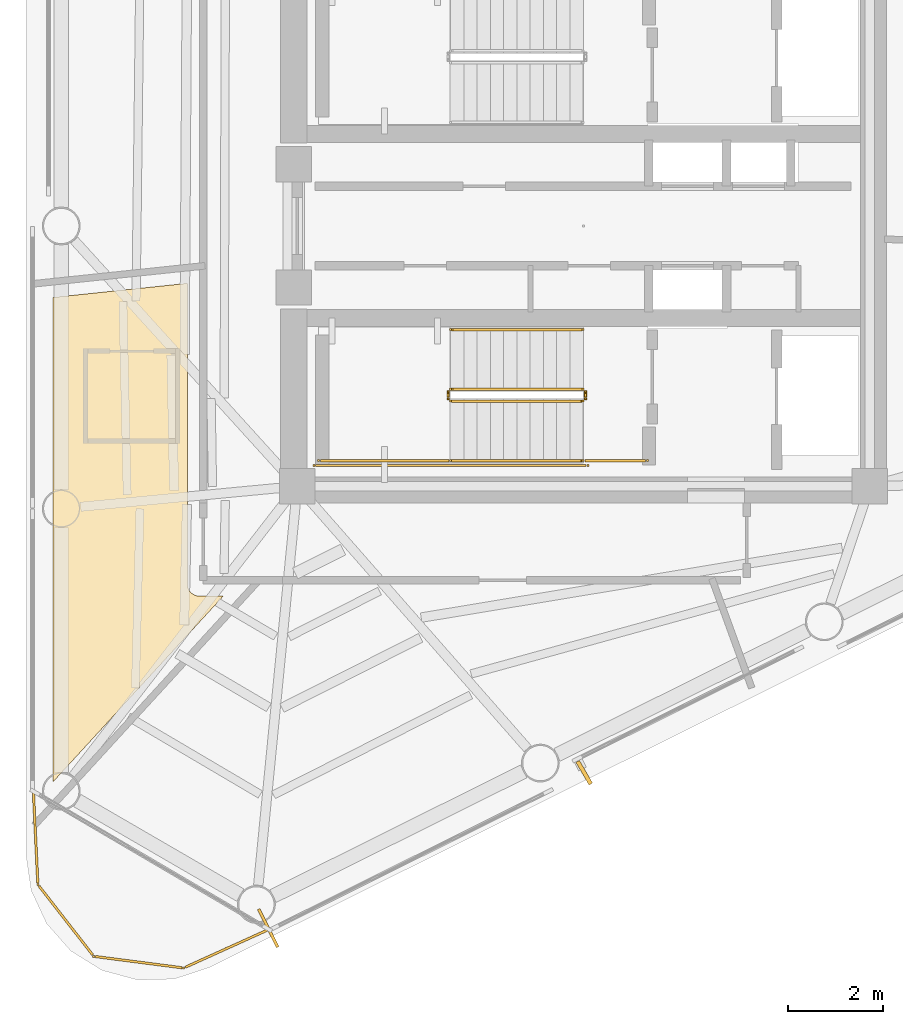
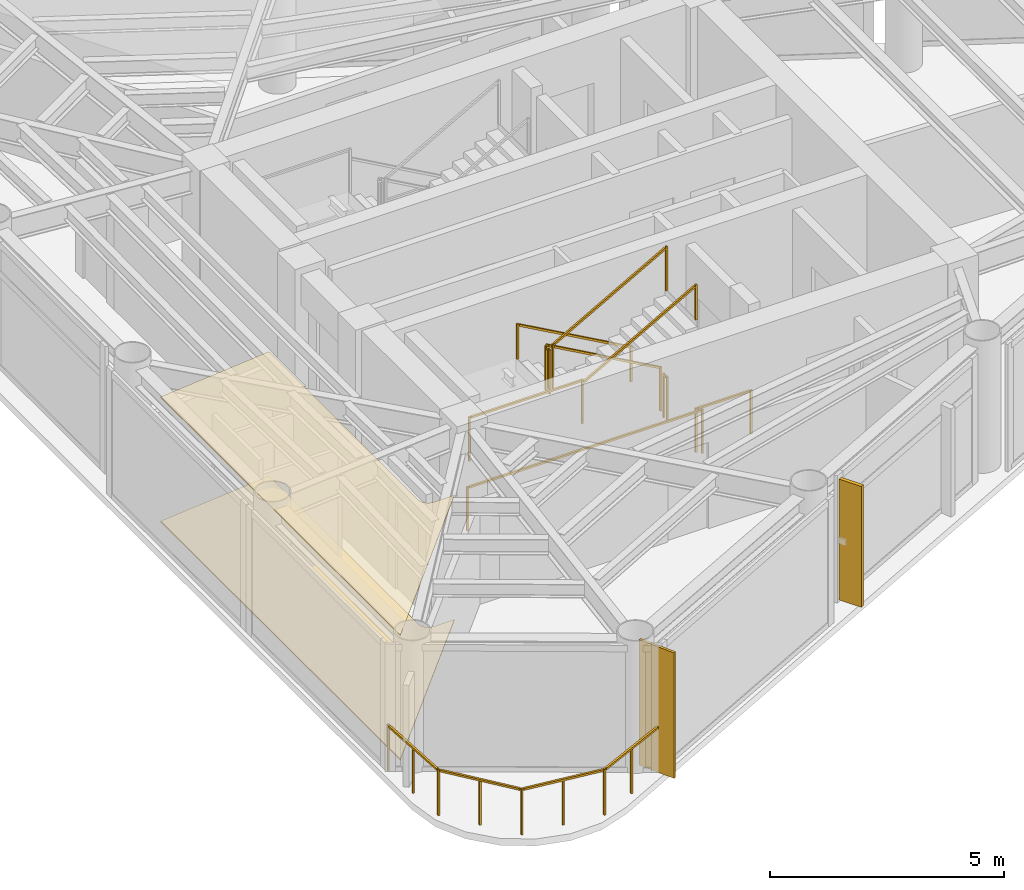
# One storey, part 7 of 10: 10 railings, 3 coverings, 1 shading device.
"""IFC4 building model written with IfcOpenShell, lengths in metres."""

from ifc_helpers import new_model, si_unit, direction, frame, origin, origin_2d, place, context, subcontext, project, spatial, polyline, rectangle, outline, extrude, source, transform, mapped, material, layer, layer_set, material_profile, profile_set, type_object, element, save


model = new_model("IFC4")

# Units and contexts
model_context = context("Model", 3, precision=1e-05, world=origin(), true_north=direction((0.0, 1.0)))
body_context = subcontext(model_context, "Body", "Model", "MODEL_VIEW")
ifc_project = project(units=[si_unit("LENGTHUNIT", "METRE"), si_unit("AREAUNIT", "SQUARE_METRE"), si_unit("VOLUMEUNIT", "CUBIC_METRE"), si_unit("PLANEANGLEUNIT", "RADIAN"), si_unit("MASSUNIT", "GRAM", prefix="KILO")], contexts=[model_context])

# Site, building, storey
site_placement = place(None, origin())
site = spatial("IfcSite", under=ifc_project, at=site_placement, CompositionType="ELEMENT")
building_placement = place(site_placement, origin())
building = spatial("IfcBuilding", under=site, at=building_placement, Name="Yunling Apex Tower", CompositionType="ELEMENT")
storey_placement = place(building_placement, frame((0.0, 0.0, 310.550048828125)))
storey = spatial("IfcBuildingStorey", under=building, at=storey_placement, Name="L76", CompositionType="ELEMENT", Elevation=310.550048828125)

# Coverings
ifc_material_1 = material(Name="Acoustic mineral fibre ceiling")
ifc_layer_1 = layer(ifc_material_1, 0.02490234375)
ifc_layer_set_1 = layer_set([ifc_layer_1], Name="Acoustic mineral fibre ceiling")
covering_type_1 = type_object("IfcCoveringType", Name="CV-CLG-1", PredefinedType="CEILING", material=ifc_layer_set_1)
covering_1_placement = place(storey_placement, frame((0.0, 0.0, 3.244873046875)))
element("IfcCovering", 1, at=covering_1_placement, inside=storey, type_object=covering_type_1, Name="CV-CL-SP-L76-AMN1", PredefinedType="CEILING", context=body_context, shape_type="SweptSolid", body=[
    extrude(outline(polyline([(-11.21728515625, -1.5107421875), (-8.3701171875, -1.21142578125), (-8.3701171875, -7.57373046875), (-8.369384765625, -7.594970703125), (-8.364990234375, -7.62060546875), (-8.359619140625, -7.642578125), (-8.3515625, -7.664794921875), (-8.3408203125, -7.688232421875), (-8.327392578125, -7.7099609375), (-8.3134765625, -7.728759765625), (-8.296875, -7.746826171875), (-8.27880859375, -7.763427734375), (-8.260009765625, -7.77734375), (-8.23828125, -7.790771484375), (-8.21484375, -7.801513671875), (-8.1923828125, -7.8095703125), (-8.170654296875, -7.81494140625), (-8.14501953125, -7.8193359375), (-8.123779296875, -7.820068359375), (-7.61328125, -7.820068359375), (-11.21728515625, -11.753173828125), (-11.21728515625, -1.5107421875)])), origin(), (0.0, 0.0, 1.0), 0.025146484375),
])
ifc_material_2 = material(Name="Polished granite stone", Category="masonry")
ifc_layer_2 = layer(ifc_material_2, 0.030029296875)
ifc_layer_set_2 = layer_set([ifc_layer_2], Name="Polished granite stone")
covering_type_2 = type_object("IfcCoveringType", Name="CV-FLR-1", PredefinedType="FLOORING", material=ifc_layer_set_2)
covering_2_placement = place(storey_placement, origin())
element("IfcCovering", 2, at=covering_2_placement, inside=storey, type_object=covering_type_2, Name="CV-FL-SP-L76-AMN1", PredefinedType="FLOORING", context=body_context, shape_type="SweptSolid", body=[
    extrude(outline(polyline([(-11.21728515625, -1.5107421875), (-8.3701171875, -1.21142578125), (-8.3701171875, -7.57373046875), (-8.369384765625, -7.594970703125), (-8.364990234375, -7.62060546875), (-8.359619140625, -7.642578125), (-8.3515625, -7.664794921875), (-8.3408203125, -7.688232421875), (-8.327392578125, -7.7099609375), (-8.3134765625, -7.728759765625), (-8.296875, -7.746826171875), (-8.27880859375, -7.763427734375), (-8.260009765625, -7.77734375), (-8.23828125, -7.790771484375), (-8.21484375, -7.801513671875), (-8.1923828125, -7.8095703125), (-8.170654296875, -7.81494140625), (-8.14501953125, -7.8193359375), (-8.123779296875, -7.820068359375), (-7.61328125, -7.820068359375), (-11.21728515625, -11.753173828125), (-11.21728515625, -1.5107421875)])), origin(), (0.0, 0.0, 1.0), 0.030029296875),
])

# Railings
ifc_material_3 = material(Name="Bronze anodised aluminium", Category="aluminium")
railing_type_1 = type_object("IfcRailingType", Name="RL-BAL-1200", PredefinedType="BALUSTRADE", material=ifc_material_3)
railing_1_placement = place(storey_placement, frame((-6.651123046875, -14.864990234375, 0.0)))
element("IfcRailing", 3, at=railing_1_placement, inside=storey, type_object=railing_type_1, Name="RL-CRNSILL-L76-3", PredefinedType="BALUSTRADE", context=body_context, shape_type="SweptSolid", body=[
    extrude(rectangle(XDim=0.0439453125, YDim=0.0439453125, at=origin_2d()), origin(), (0.0, 0.0, 1.0), 1.199951171875),
    extrude(rectangle(XDim=0.0439453125, YDim=0.0439453125, at=origin_2d()), frame((-1.799560546875, -0.814697265625, 0.0)), (0.0, 0.0, 1.0), 1.199951171875),
    extrude(rectangle(XDim=0.050048828125, YDim=0.050048828125, at=origin_2d()), frame((-0.034912109375, -0.015869140625, 1.1748046875), z_axis=(-0.910991856267, -0.412424341929, 0.0), x_axis=(0.412424341929, -0.910991856267, 0.0)), (0.0, 0.0, 1.0), 1.898681640625),
    extrude(rectangle(XDim=0.0439453125, YDim=0.0439453125, at=origin_2d()), frame((-0.89990234375, -0.4072265625, 0.0)), (0.0, 0.0, 1.0), 1.14599609375),
    extrude(rectangle(XDim=0.0439453125, YDim=0.0439453125, at=origin_2d()), frame((-3.69921875, -0.568603515625, 0.0)), (0.0, 0.0, 1.0), 1.199951171875),
    extrude(rectangle(XDim=0.050048828125, YDim=0.050048828125, at=origin_2d()), frame((-1.837646484375, -0.809814453125, 1.1748046875), z_axis=(-0.991713034877, 0.128472784881, 0.0), x_axis=(-0.128472784881, -0.991713034877, 0.0)), (0.0, 0.0, 1.0), 1.8388671875),
    extrude(rectangle(XDim=0.0439453125, YDim=0.0439453125, at=origin_2d()), frame((-2.74951171875, -0.691650390625, 0.0)), (0.0, 0.0, 1.0), 1.14599609375),
    extrude(rectangle(XDim=0.0439453125, YDim=0.0439453125, at=origin_2d()), frame((-4.880126953125, 0.947265625, 0.0)), (0.0, 0.0, 1.0), 1.199951171875),
    extrude(rectangle(XDim=0.050048828125, YDim=0.050048828125, at=origin_2d()), frame((-3.72265625, -0.538330078125, 1.1748046875), z_axis=(-0.61455614591, 0.788873084548, 0.0), x_axis=(-0.788873084548, -0.61455614591, 0.0)), (0.0, 0.0, 1.0), 1.844970703125),
    extrude(rectangle(XDim=0.0439453125, YDim=0.0439453125, at=origin_2d()), frame((-4.28955078125, 0.189453125, 0.0)), (0.0, 0.0, 1.0), 1.14599609375),
    extrude(rectangle(XDim=0.0439453125, YDim=0.0439453125, at=origin_2d()), frame((-4.97607421875, 2.919677734375, 0.0)), (0.0, 0.0, 1.0), 1.199951171875),
    extrude(rectangle(XDim=0.050048828125, YDim=0.050048828125, at=origin_2d()), frame((-4.882080078125, 0.985595703125, 1.1748046875), z_axis=(-0.048587182269, 0.998818945415, 0.0), x_axis=(-0.998818945415, -0.048587182269, 0.0)), (0.0, 0.0, 1.0), 1.898193359375),
    extrude(rectangle(XDim=0.0439453125, YDim=0.0439453125, at=origin_2d()), frame((-4.92822265625, 1.93359375, 0.0)), (0.0, 0.0, 1.0), 1.14599609375),
])
ifc_material_4 = material(Name="Steel Q355B", Category="steel")
railing_type_2 = type_object("IfcRailingType", Name="RL-GRD-1150", PredefinedType="GUARDRAIL", material=ifc_material_4)
railing_2_placement = place(storey_placement, frame((-0.010009765625, -3.449951171875, 0.15673828125)))
element("IfcRailing", 4, at=railing_2_placement, inside=storey, type_object=railing_type_2, Name="L76 ST-2 stair guard 1", PredefinedType="GUARDRAIL", context=body_context, shape_type="SweptSolid", body=[
    extrude(rectangle(XDim=0.0439453125, YDim=0.0439453125, at=origin_2d()), origin(), (0.0, 0.0, 1.0), 1.14990234375),
    extrude(rectangle(XDim=0.0439453125, YDim=0.0439453125, at=origin_2d()), frame((-2.800048828125, 0.0, 1.568115234375)), (0.0, 0.0, 1.0), 1.14990234375),
    extrude(rectangle(XDim=0.050048828125, YDim=0.050048828125, at=origin_2d()), frame((-0.033447265625, 0.0, 1.1435546875), z_axis=(-0.872494340497, 0.0, 0.48862421737), x_axis=(0.0, -1.0, 0.0)), (0.0, 0.0, 1.0), 3.132568359375),
])
railing_3_placement = place(storey_placement, frame((-2.860107421875, -3.5, 1.724853515625)))
element("IfcRailing", 5, at=railing_3_placement, inside=storey, type_object=railing_type_2, Name="L76 ST-2 stair guard 2", PredefinedType="GUARDRAIL", context=body_context, shape_type="SweptSolid", body=[
    extrude(rectangle(XDim=0.0439453125, YDim=0.0439453125, at=origin_2d()), origin(), (0.0, 0.0, 1.0), 1.14990234375),
    extrude(rectangle(XDim=0.0439453125, YDim=0.0439453125, at=origin_2d()), frame((0.0, -0.14990234375, 0.0)), (0.0, 0.0, 1.0), 1.14990234375),
    extrude(rectangle(XDim=0.050048828125, YDim=0.050048828125, at=origin_2d()), frame((0.0, -0.038330078125, 1.125), z_axis=(0.0, -1.0, 0.0), x_axis=(1.0, 0.0, 0.0)), (0.0, 0.0, 1.0), 0.0732421875),
])
railing_4_placement = place(storey_placement, frame((-2.81005859375, -4.9599609375, 1.724853515625)))
element("IfcRailing", 6, at=railing_4_placement, inside=storey, type_object=railing_type_2, Name="L76 ST-2 stair guard 3", PredefinedType="GUARDRAIL", context=body_context, shape_type="SweptSolid", body=[
    extrude(rectangle(XDim=0.0439453125, YDim=0.0439453125, at=origin_2d()), origin(), (0.0, 0.0, 1.0), 1.14990234375),
    extrude(rectangle(XDim=0.0439453125, YDim=0.0439453125, at=origin_2d()), frame((-2.7900390625, 0.0, 0.0)), (0.0, 0.0, 1.0), 1.14990234375),
    extrude(rectangle(XDim=0.050048828125, YDim=0.050048828125, at=origin_2d()), frame((-0.038330078125, 0.0, 1.125), z_axis=(-1.0, 0.0, 0.0), x_axis=(0.0, -1.0, 0.0)), (0.0, 0.0, 1.0), 2.71337890625),
])
railing_5_placement = place(storey_placement, frame((-2.81005859375, -3.699951171875, 1.8818359375)))
element("IfcRailing", 7, at=railing_5_placement, inside=storey, type_object=railing_type_2, Name="L76 ST-2 stair guard 4", PredefinedType="GUARDRAIL", context=body_context, shape_type="SweptSolid", body=[
    extrude(rectangle(XDim=0.0439453125, YDim=0.0439453125, at=origin_2d()), origin(), (0.0, 0.0, 1.0), 1.14990234375),
    extrude(rectangle(XDim=0.0439453125, YDim=0.0439453125, at=origin_2d()), frame((2.800048828125, 0.0, 1.568115234375)), (0.0, 0.0, 1.0), 1.14990234375),
    extrude(rectangle(XDim=0.050048828125, YDim=0.050048828125, at=origin_2d()), frame((0.033447265625, 0.0, 1.1435546875), z_axis=(0.872494340497, 0.0, 0.48862421737), x_axis=(0.0, 1.0, 0.0)), (0.0, 0.0, 1.0), 3.132568359375),
])
railing_6_placement = place(storey_placement, frame((0.0400390625, -3.5, 0.0)))
element("IfcRailing", 8, at=railing_6_placement, inside=storey, type_object=railing_type_2, Name="L76 ST-2 stair guard 5", PredefinedType="GUARDRAIL", context=body_context, shape_type="SweptSolid", body=[
    extrude(rectangle(XDim=0.0439453125, YDim=0.0439453125, at=origin_2d()), origin(), (0.0, 0.0, 1.0), 1.14990234375),
    extrude(rectangle(XDim=0.0439453125, YDim=0.0439453125, at=origin_2d()), frame((0.0, -0.14990234375, 0.0)), (0.0, 0.0, 1.0), 1.14990234375),
    extrude(rectangle(XDim=0.050048828125, YDim=0.050048828125, at=origin_2d()), frame((0.0, -0.038330078125, 1.125), z_axis=(0.0, -1.0, 0.0), x_axis=(1.0, 0.0, 0.0)), (0.0, 0.0, 1.0), 0.0732421875),
])
railing_7_placement = place(storey_placement, frame((1.35009765625, -4.9599609375, 0.0)))
element("IfcRailing", 9, at=railing_7_placement, inside=storey, type_object=railing_type_2, Name="L76 ST-2 stair guard 6", PredefinedType="GUARDRAIL", context=body_context, shape_type="SweptSolid", body=[
    extrude(rectangle(XDim=0.0439453125, YDim=0.0439453125, at=origin_2d()), origin(), (0.0, 0.0, 1.0), 1.14990234375),
    extrude(rectangle(XDim=0.0439453125, YDim=0.0439453125, at=origin_2d()), frame((-1.360107421875, 0.0, 0.0)), (0.0, 0.0, 1.0), 1.14990234375),
    extrude(rectangle(XDim=0.050048828125, YDim=0.050048828125, at=origin_2d()), frame((-0.038330078125, 0.0, 1.125), z_axis=(-1.0, 0.0, 0.0), x_axis=(0.0, -1.0, 0.0)), (0.0, 0.0, 1.0), 1.283447265625),
])
railing_8_placement = place(storey_placement, frame((0.090087890625, -5.06005859375, 0.0)))
element("IfcRailing", 10, at=railing_8_placement, inside=storey, type_object=railing_type_2, Name="L76 ST-2 stair guard 7", PredefinedType="GUARDRAIL", context=body_context, shape_type="SweptSolid", body=[
    extrude(rectangle(XDim=0.0439453125, YDim=0.0439453125, at=origin_2d()), origin(), (0.0, 0.0, 1.0), 1.14990234375),
    extrude(rectangle(XDim=0.0439453125, YDim=0.0439453125, at=origin_2d()), frame((-5.7900390625, 0.0, 0.0)), (0.0, 0.0, 1.0), 1.14990234375),
    extrude(rectangle(XDim=0.050048828125, YDim=0.050048828125, at=origin_2d()), frame((-0.038330078125, 0.0, 1.125), z_axis=(-1.0, 0.0, 0.0), x_axis=(0.0, -1.0, 0.0)), (0.0, 0.0, 1.0), 5.71337890625),
])
ifc_material_5 = material(Name="Silver anodised aluminium", Category="aluminium")
railing_type_3 = type_object("IfcRailingType", Name="RL-HND-900", PredefinedType="HANDRAIL", material=ifc_material_5)
railing_9_placement = place(storey_placement, frame((-0.010009765625, -2.18994140625, 0.15673828125)))
element("IfcRailing", 11, at=railing_9_placement, inside=storey, type_object=railing_type_3, Name="L76 ST-2 stair handrail 1", PredefinedType="HANDRAIL", context=body_context, shape_type="SweptSolid", body=[
    extrude(rectangle(XDim=0.0439453125, YDim=0.0439453125, at=origin_2d()), origin(), (0.0, 0.0, 1.0), 0.919921875),
    extrude(rectangle(XDim=0.0439453125, YDim=0.0439453125, at=origin_2d()), frame((-2.800048828125, 0.0, 1.568115234375)), (0.0, 0.0, 1.0), 0.919921875),
    extrude(rectangle(XDim=0.050048828125, YDim=0.050048828125, at=origin_2d()), frame((-0.033447265625, 0.0, 0.91357421875), z_axis=(-0.872494340497, 0.0, 0.48862421737), x_axis=(0.0, -1.0, 0.0)), (0.0, 0.0, 1.0), 3.132568359375),
])
railing_10_placement = place(storey_placement, frame((-2.81005859375, -4.9599609375, 1.8818359375)))
element("IfcRailing", 12, at=railing_10_placement, inside=storey, type_object=railing_type_3, Name="L76 ST-2 stair handrail 2", PredefinedType="HANDRAIL", context=body_context, shape_type="SweptSolid", body=[
    extrude(rectangle(XDim=0.0439453125, YDim=0.0439453125, at=origin_2d()), origin(), (0.0, 0.0, 1.0), 0.919921875),
    extrude(rectangle(XDim=0.0439453125, YDim=0.0439453125, at=origin_2d()), frame((2.800048828125, 0.0, 1.568115234375)), (0.0, 0.0, 1.0), 0.919921875),
    extrude(rectangle(XDim=0.050048828125, YDim=0.050048828125, at=origin_2d()), frame((0.033447265625, 0.0, 0.91357421875), z_axis=(0.872494340497, 0.0, 0.48862421737), x_axis=(0.0, 1.0, 0.0)), (0.0, 0.0, 1.0), 3.132568359375),
])

# Covering
ifc_layer_3 = layer(ifc_material_3, 0.0400390625)
ifc_layer_set_3 = layer_set([ifc_layer_3], Name="Bronze anodised aluminium")
covering_type_3 = type_object("IfcCoveringType", Name="CV-CLD-1", PredefinedType="CLADDING", material=ifc_layer_set_3)
shared_shape_1 = source(origin(), body_context, "Body", "SweptSolid", [
    extrude(rectangle(XDim=0.06005859375, YDim=0.89990234375, at=origin_2d()), origin(), (0.0, 0.0, 1.0), 3.27001953125),
])
covering_3_placement = place(storey_placement, frame((-6.66455078125, -14.837890625, 0.0), z_axis=(0.0, 0.0, 1.0), x_axis=(0.895245648325, 0.445572922377, 0.0)))
element("IfcCovering", 13, at=covering_3_placement, inside=storey, type_object=covering_type_3, Name="CV-CLD-L76", PredefinedType="CLADDING", context=body_context, shape_type="MappedRepresentation", body=[
    mapped(shared_shape_1, transform((0.0, 0.0, 0.0), scale=1.0)),
])

# Shading device
ifc_material_profile = material_profile(ifc_material_3, rectangle(XDim=0.0849609375, YDim=0.550048828125, at=origin_2d()))
ifc_profile_set = profile_set([ifc_material_profile], Name="Bronze anodised aluminium")
shading_device_type = type_object("IfcShadingDeviceType", Name="FN-BRZ-3", PredefinedType="USERDEFINED", material=ifc_profile_set)
shared_shape_2 = source(origin(), body_context, "Body", "SweptSolid", [
    extrude(rectangle(XDim=0.0849609375, YDim=0.550048828125, at=origin_2d()), origin(), (0.0, 0.0, 1.0), 3.14990234375),
])
shading_device_placement = place(storey_placement, frame((0.013671875, -11.553466796875, 0.06005859375), z_axis=(0.0, 0.0, 1.0), x_axis=(0.864186995248, 0.503170783377, 0.0)))
element("IfcShadingDevice", 14, at=shading_device_placement, inside=storey, type_object=shading_device_type, Name="CW-L76-F1-B2-FIN-01", ObjectType="FIN", PredefinedType="USERDEFINED", context=body_context, shape_type="MappedRepresentation", body=[
    mapped(shared_shape_2, transform((0.0, 0.0, 0.0), scale=1.0)),
])

save(model, "model.ifc")
